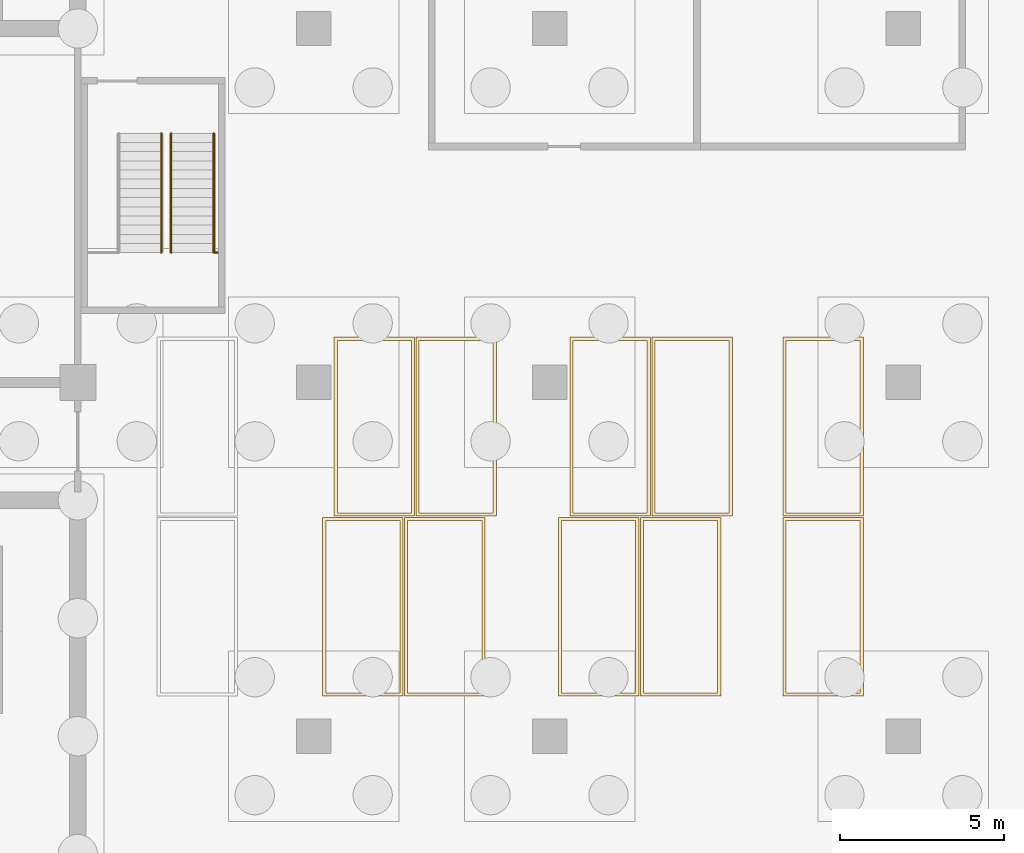
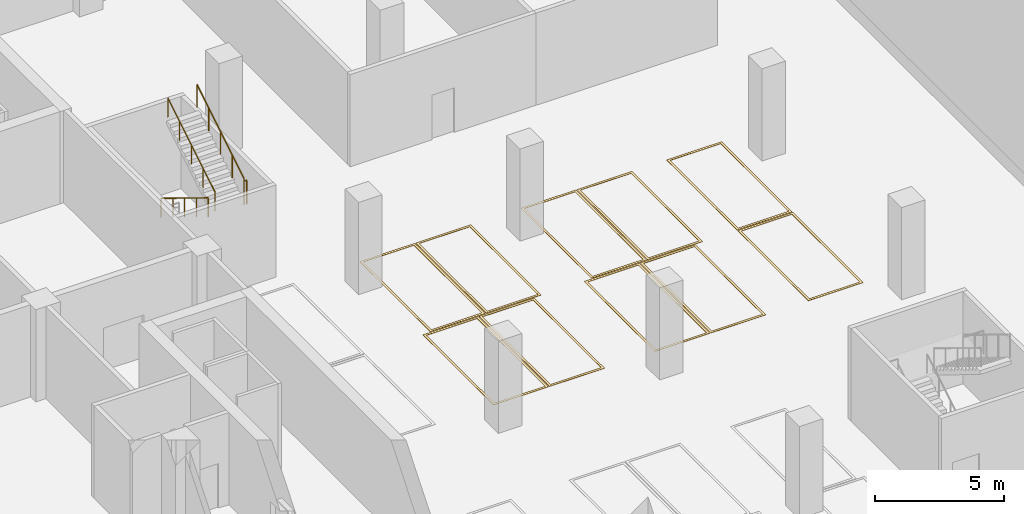
# One storey, part 16 of 18: 10 coverings, 4 railings.
"""IFC4 building model written with IfcOpenShell, lengths in metres."""

from ifc_helpers import new_model, si_unit, direction, frame, origin, origin_2d, place, context, subcontext, project, spatial, polyline, circle, outline, extrude, material, layer, layer_set, type_object, element, save


model = new_model("IFC4")

# Units and contexts
model_context = context("Model", 3, precision=1e-05, world=origin(), true_north=direction((0.0, 1.0)))
body_context = subcontext(model_context, "Body", "Model", "MODEL_VIEW")
ifc_project = project(units=[si_unit("LENGTHUNIT", "METRE"), si_unit("AREAUNIT", "SQUARE_METRE"), si_unit("VOLUMEUNIT", "CUBIC_METRE"), si_unit("PLANEANGLEUNIT", "RADIAN"), si_unit("MASSUNIT", "GRAM", prefix="KILO")], contexts=[model_context])

# Site, building, storey
site_placement = place(None, origin())
site = spatial("IfcSite", under=ifc_project, at=site_placement, CompositionType="ELEMENT")
building_placement = place(site_placement, origin())
building = spatial("IfcBuilding", under=site, at=building_placement, Name="Basin Gate Institute", CompositionType="ELEMENT")
storey_placement = place(building_placement, frame((0.0, 0.0, -9.60009765625)))
storey = spatial("IfcBuildingStorey", under=building, at=storey_placement, Name="B2", CompositionType="ELEMENT", Elevation=-9.60009765625)

# Coverings
ifc_material_1 = material(Name="Road marking paint, white")
ifc_layer = layer(ifc_material_1, 0.010009765625)
ifc_layer_set = layer_set([ifc_layer], Name="Parking bay marking PM1")
covering_type = type_object("IfcCoveringType", Name="Parking bay marking PM1", PredefinedType="FLOORING", material=ifc_layer_set)
covering_1_placement = place(storey_placement, origin())
element("IfcCovering", 1, at=covering_1_placement, inside=storey, type_object=covering_type, material=ifc_layer_set, Name="Parking bay marking B2-03 41", PredefinedType="FLOORING", context=body_context, shape_type="SweptSolid", body=[
    extrude(outline(polyline([(126.27001953125, 68.719970703125), (128.72998046875, 68.719970703125), (128.72998046875, 74.179931640625), (126.27001953125, 74.179931640625), (126.27001953125, 68.719970703125)]), holes=[polyline([(126.3701171875, 68.820068359375), (128.6298828125, 68.820068359375), (128.6298828125, 74.080078125), (126.3701171875, 74.080078125), (126.3701171875, 68.820068359375)])]), origin(), (0.0, 0.0, 1.0), 0.010009765625),
])
covering_2_placement = place(storey_placement, origin())
element("IfcCovering", 2, at=covering_2_placement, inside=storey, type_object=covering_type, material=ifc_layer_set, Name="Parking bay marking B2-03 42", PredefinedType="FLOORING", context=body_context, shape_type="SweptSolid", body=[
    extrude(outline(polyline([(128.77001953125, 68.719970703125), (131.22998046875, 68.719970703125), (131.22998046875, 74.179931640625), (128.77001953125, 74.179931640625), (128.77001953125, 68.719970703125)]), holes=[polyline([(128.8701171875, 68.820068359375), (131.1298828125, 68.820068359375), (131.1298828125, 74.080078125), (128.8701171875, 74.080078125), (128.8701171875, 68.820068359375)])]), origin(), (0.0, 0.0, 1.0), 0.010009765625),
])
covering_3_placement = place(storey_placement, origin())
element("IfcCovering", 3, at=covering_3_placement, inside=storey, type_object=covering_type, material=ifc_layer_set, Name="Parking bay marking B2-03 43", PredefinedType="FLOORING", context=body_context, shape_type="SweptSolid", body=[
    extrude(outline(polyline([(133.469970703125, 68.719970703125), (135.929931640625, 68.719970703125), (135.929931640625, 74.179931640625), (133.469970703125, 74.179931640625), (133.469970703125, 68.719970703125)]), holes=[polyline([(133.570068359375, 68.820068359375), (135.830078125, 68.820068359375), (135.830078125, 74.080078125), (133.570068359375, 74.080078125), (133.570068359375, 68.820068359375)])]), origin(), (0.0, 0.0, 1.0), 0.010009765625),
])
covering_4_placement = place(storey_placement, origin())
element("IfcCovering", 4, at=covering_4_placement, inside=storey, type_object=covering_type, material=ifc_layer_set, Name="Parking bay marking B2-03 44", PredefinedType="FLOORING", context=body_context, shape_type="SweptSolid", body=[
    extrude(outline(polyline([(135.969970703125, 68.719970703125), (138.429931640625, 68.719970703125), (138.429931640625, 74.179931640625), (135.969970703125, 74.179931640625), (135.969970703125, 68.719970703125)]), holes=[polyline([(136.070068359375, 68.820068359375), (138.330078125, 68.820068359375), (138.330078125, 74.080078125), (136.070068359375, 74.080078125), (136.070068359375, 68.820068359375)])]), origin(), (0.0, 0.0, 1.0), 0.010009765625),
])
covering_5_placement = place(storey_placement, origin())
element("IfcCovering", 5, at=covering_5_placement, inside=storey, type_object=covering_type, material=ifc_layer_set, Name="Parking bay marking B2-03 46", PredefinedType="FLOORING", context=body_context, shape_type="SweptSolid", body=[
    extrude(outline(polyline([(126.6201171875, 74.219970703125), (129.080078125, 74.219970703125), (129.080078125, 79.679931640625), (126.6201171875, 79.679931640625), (126.6201171875, 74.219970703125)]), holes=[polyline([(126.719970703125, 74.320068359375), (128.97998046875, 74.320068359375), (128.97998046875, 79.580078125), (126.719970703125, 79.580078125), (126.719970703125, 74.320068359375)])]), origin(), (0.0, 0.0, 1.0), 0.010009765625),
])
covering_6_placement = place(storey_placement, origin())
element("IfcCovering", 6, at=covering_6_placement, inside=storey, type_object=covering_type, material=ifc_layer_set, Name="Parking bay marking B2-03 47", PredefinedType="FLOORING", context=body_context, shape_type="SweptSolid", body=[
    extrude(outline(polyline([(129.1201171875, 74.219970703125), (131.580078125, 74.219970703125), (131.580078125, 79.679931640625), (129.1201171875, 79.679931640625), (129.1201171875, 74.219970703125)]), holes=[polyline([(129.219970703125, 74.320068359375), (131.47998046875, 74.320068359375), (131.47998046875, 79.580078125), (129.219970703125, 79.580078125), (129.219970703125, 74.320068359375)])]), origin(), (0.0, 0.0, 1.0), 0.010009765625),
])
covering_7_placement = place(storey_placement, origin())
element("IfcCovering", 7, at=covering_7_placement, inside=storey, type_object=covering_type, material=ifc_layer_set, Name="Parking bay marking B2-03 48", PredefinedType="FLOORING", context=body_context, shape_type="SweptSolid", body=[
    extrude(outline(polyline([(133.820068359375, 74.219970703125), (136.280029296875, 74.219970703125), (136.280029296875, 79.679931640625), (133.820068359375, 79.679931640625), (133.820068359375, 74.219970703125)]), holes=[polyline([(133.919921875, 74.320068359375), (136.179931640625, 74.320068359375), (136.179931640625, 79.580078125), (133.919921875, 79.580078125), (133.919921875, 74.320068359375)])]), origin(), (0.0, 0.0, 1.0), 0.010009765625),
])
covering_8_placement = place(storey_placement, origin())
element("IfcCovering", 8, at=covering_8_placement, inside=storey, type_object=covering_type, material=ifc_layer_set, Name="Parking bay marking B2-03 49", PredefinedType="FLOORING", context=body_context, shape_type="SweptSolid", body=[
    extrude(outline(polyline([(136.320068359375, 74.219970703125), (138.780029296875, 74.219970703125), (138.780029296875, 79.679931640625), (136.320068359375, 79.679931640625), (136.320068359375, 74.219970703125)]), holes=[polyline([(136.419921875, 74.320068359375), (138.679931640625, 74.320068359375), (138.679931640625, 79.580078125), (136.419921875, 79.580078125), (136.419921875, 74.320068359375)])]), origin(), (0.0, 0.0, 1.0), 0.010009765625),
])
covering_9_placement = place(storey_placement, origin())
element("IfcCovering", 9, at=covering_9_placement, inside=storey, type_object=covering_type, material=ifc_layer_set, Name="Parking bay marking B2-04 51", PredefinedType="FLOORING", context=body_context, shape_type="SweptSolid", body=[
    extrude(outline(polyline([(140.320068359375, 68.719970703125), (142.780029296875, 68.719970703125), (142.780029296875, 74.179931640625), (140.320068359375, 74.179931640625), (140.320068359375, 68.719970703125)]), holes=[polyline([(140.419921875, 68.820068359375), (142.679931640625, 68.820068359375), (142.679931640625, 74.080078125), (140.419921875, 74.080078125), (140.419921875, 68.820068359375)])]), origin(), (0.0, 0.0, 1.0), 0.010009765625),
])
covering_10_placement = place(storey_placement, origin())
element("IfcCovering", 10, at=covering_10_placement, inside=storey, type_object=covering_type, material=ifc_layer_set, Name="Parking bay marking B2-04 52", PredefinedType="FLOORING", context=body_context, shape_type="SweptSolid", body=[
    extrude(outline(polyline([(140.320068359375, 74.219970703125), (142.780029296875, 74.219970703125), (142.780029296875, 79.679931640625), (140.320068359375, 79.679931640625), (140.320068359375, 74.219970703125)]), holes=[polyline([(140.419921875, 74.320068359375), (142.679931640625, 74.320068359375), (142.679931640625, 79.580078125), (140.419921875, 79.580078125), (140.419921875, 74.320068359375)])]), origin(), (0.0, 0.0, 1.0), 0.010009765625),
])

# Railings
ifc_material_2 = material(Name="Stainless steel", Category="steel")
railing_type_1 = type_object("IfcRailingType", Name="Stair guard GR1", PredefinedType="GUARDRAIL", material=ifc_material_2)
railing_1_placement = place(storey_placement, frame((122.949951171875, 82.260009765625, 2.571533203125)))
element("IfcRailing", 11, at=railing_1_placement, inside=storey, type_object=railing_type_1, material=ifc_material_2, Name="Stair guard GR1 BS4 GD1", PredefinedType="GUARDRAIL", context=body_context, shape_type="SweptSolid", body=[
    extrude(circle(Radius=0.02392578125, at=origin_2d()), frame((0.0, 0.0, 1.076171875), z_axis=(0.0, 0.852850264322, 0.5221555579), x_axis=(-1.0, 0.0, 0.0)), (0.0, 0.0, 1.0), 4.267822265625),
    extrude(circle(Radius=0.02099609375, at=origin_2d()), origin(), (0.0, 0.0, 1.0), 1.052001953125),
    extrude(circle(Radius=0.02099609375, at=origin_2d()), frame((0.0, 0.909912109375, 0.55712890625)), (0.0, 0.0, 1.0), 1.052001953125),
    extrude(circle(Radius=0.02099609375, at=origin_2d()), frame((0.0, 1.81982421875, 1.1142578125)), (0.0, 0.0, 1.0), 1.052001953125),
    extrude(circle(Radius=0.02099609375, at=origin_2d()), frame((0.0, 2.72998046875, 1.67138671875)), (0.0, 0.0, 1.0), 1.052001953125),
    extrude(circle(Radius=0.02099609375, at=origin_2d()), frame((0.0, 3.639892578125, 2.228515625)), (0.0, 0.0, 1.0), 1.052001953125),
])
ifc_material_3 = material(Name="Stainless steel", Category="steel")
railing_type_2 = type_object("IfcRailingType", Name="Stair guard GR3", PredefinedType="GUARDRAIL", material=ifc_material_3)
railing_2_placement = place(storey_placement, frame((122.949951171875, 82.260009765625, 2.400146484375)))
element("IfcRailing", 12, at=railing_2_placement, inside=storey, type_object=railing_type_2, material=ifc_material_3, Name="Stair guard GR3 BS4 GD2", PredefinedType="GUARDRAIL", context=body_context, shape_type="SweptSolid", body=[
    extrude(circle(Radius=0.02392578125, at=origin_2d()), frame((0.0, 0.0, 1.1259765625), z_axis=(1.0, 0.0, 0.0), x_axis=(0.0, 1.0, 0.0)), (0.0, 0.0, 1.0), 0.1201171875),
    extrude(circle(Radius=0.02099609375, at=origin_2d()), origin(), (0.0, 0.0, 1.0), 1.101806640625),
    extrude(circle(Radius=0.02099609375, at=origin_2d()), frame((0.1201171875, 0.0, 0.0)), (0.0, 0.0, 1.0), 1.101806640625),
])
ifc_material_4 = material(Name="Stainless steel", Category="steel")
railing_type_3 = type_object("IfcRailingType", Name="Stair handrail HR1", PredefinedType="HANDRAIL", material=ifc_material_4)
railing_3_placement = place(storey_placement, frame((121.35009765625, 85.89990234375, 0.171630859375)))
element("IfcRailing", 13, at=railing_3_placement, inside=storey, type_object=railing_type_3, material=ifc_material_4, Name="Stair handrail HR1 BS4 HR2", PredefinedType="HANDRAIL", context=body_context, shape_type="SweptSolid", body=[
    extrude(circle(Radius=0.02392578125, at=origin_2d()), frame((0.0, 0.0, 0.89599609375), z_axis=(0.0, -0.852850264322, 0.5221555579), x_axis=(1.0, 0.0, 0.0)), (0.0, 0.0, 1.0), 4.267822265625),
    extrude(circle(Radius=0.02099609375, at=origin_2d()), origin(), (0.0, 0.0, 1.0), 0.871826171875),
    extrude(circle(Radius=0.02099609375, at=origin_2d()), frame((0.0, -0.909912109375, 0.55712890625)), (0.0, 0.0, 1.0), 0.871826171875),
    extrude(circle(Radius=0.02099609375, at=origin_2d()), frame((0.0, -1.81982421875, 1.1142578125)), (0.0, 0.0, 1.0), 0.871826171875),
    extrude(circle(Radius=0.02099609375, at=origin_2d()), frame((0.0, -2.72998046875, 1.67138671875)), (0.0, 0.0, 1.0), 0.871826171875),
    extrude(circle(Radius=0.02099609375, at=origin_2d()), frame((0.0, -3.639892578125, 2.228515625)), (0.0, 0.0, 1.0), 0.871826171875),
])
railing_4_placement = place(storey_placement, frame((121.64990234375, 82.260009765625, 2.571533203125)))
element("IfcRailing", 14, at=railing_4_placement, inside=storey, type_object=railing_type_3, material=ifc_material_4, Name="Stair handrail HR1 BS4 HR3", PredefinedType="HANDRAIL", context=body_context, shape_type="SweptSolid", body=[
    extrude(circle(Radius=0.02392578125, at=origin_2d()), frame((0.0, 0.0, 0.89599609375), z_axis=(0.0, 0.852850264322, 0.5221555579), x_axis=(-1.0, 0.0, 0.0)), (0.0, 0.0, 1.0), 4.267822265625),
    extrude(circle(Radius=0.02099609375, at=origin_2d()), origin(), (0.0, 0.0, 1.0), 0.871826171875),
    extrude(circle(Radius=0.02099609375, at=origin_2d()), frame((0.0, 0.909912109375, 0.55712890625)), (0.0, 0.0, 1.0), 0.871826171875),
    extrude(circle(Radius=0.02099609375, at=origin_2d()), frame((0.0, 1.81982421875, 1.1142578125)), (0.0, 0.0, 1.0), 0.871826171875),
    extrude(circle(Radius=0.02099609375, at=origin_2d()), frame((0.0, 2.72998046875, 1.67138671875)), (0.0, 0.0, 1.0), 0.871826171875),
    extrude(circle(Radius=0.02099609375, at=origin_2d()), frame((0.0, 3.639892578125, 2.228515625)), (0.0, 0.0, 1.0), 0.871826171875),
])

save(model, "model.ifc")
